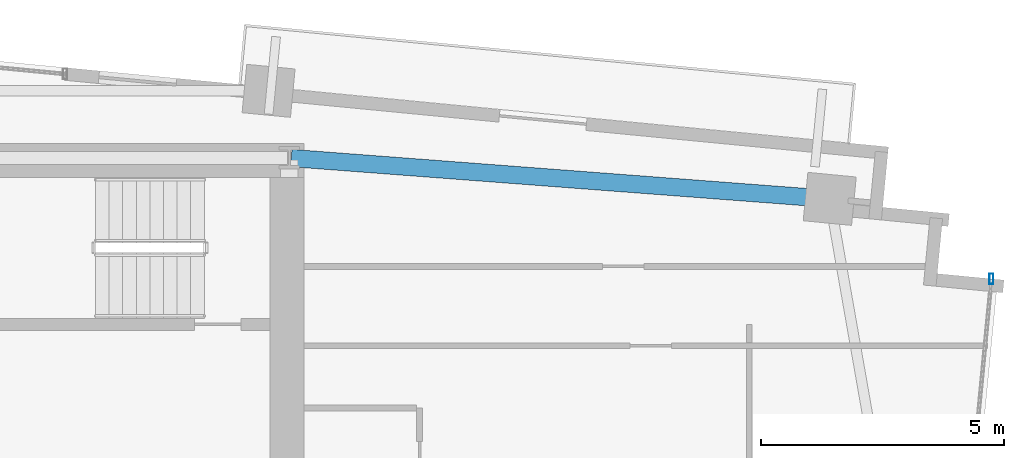
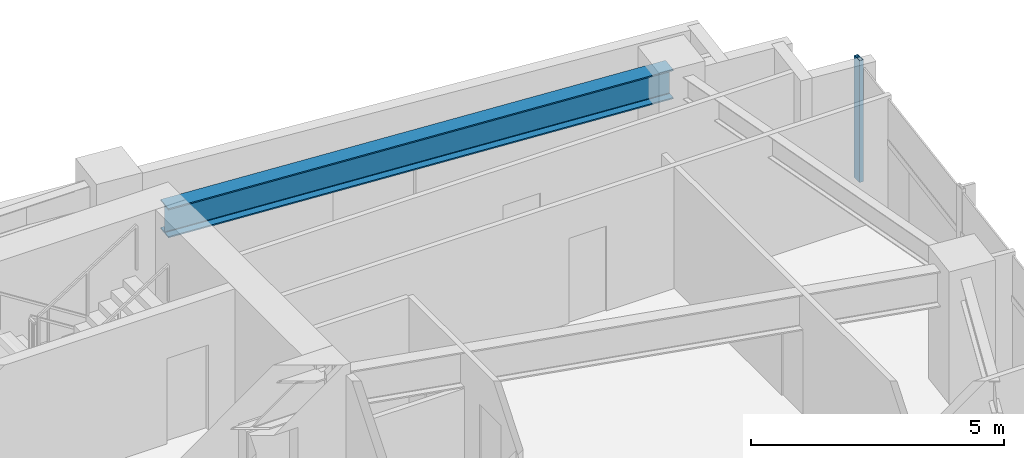
# One storey, part 13 of 20: 1 beam, 1 member, 1 element without a shape of its own.
"""IFC4 building model written with IfcOpenShell, lengths in metres."""

import ifcopenshell
import ifcopenshell.guid

model = None  # the IFC model being written
_history = None  # IfcOwnerHistory: only IFC2X3 demands one
_inside = {}  # id of a spatial element -> (the spatial element, [elements in it])
_under = {}  # id of a project, library or spatial element -> (it, [spatial elements below it])
_declared = {}  # id of a project -> (the project, [libraries it declares])
_typed = {}  # id of a type object -> (the type object, [elements of that type])
_made_of = {}  # id of a material, layer set ... -> (it, [elements and type objects made of it])


def new_model(schema):
    """Start an empty IFC model of exactly this schema.

    Asked for "IFC4X3", IfcOpenShell would pick the latest addendum, in which some entities
    have other attributes; the version numbers below select the first issue.
    IFC2X3 requires an IfcOwnerHistory on every rooted entity: one is made here for all.
    """
    global model, _history
    if schema == "IFC4X3":
        model = ifcopenshell.file(schema_version=(4, 3, 0, 0))
    else:
        model = ifcopenshell.file(schema=schema)
    _inside.clear()
    _under.clear()
    _declared.clear()
    _typed.clear()
    _made_of.clear()
    _history = None
    if model.schema == "IFC2X3":
        org = make("IfcOrganization", Name="unknown")
        user = make(
            "IfcPersonAndOrganization",
            ThePerson=make("IfcPerson", FamilyName="unknown"),
            TheOrganization=org,
        )
        app = make(
            "IfcApplication",
            ApplicationDeveloper=org,
            Version="unknown",
            ApplicationFullName="unknown",
            ApplicationIdentifier="unknown",
        )
        _history = make(
            "IfcOwnerHistory",
            OwningUser=user,
            OwningApplication=app,
            ChangeAction="ADDED",
            CreationDate=0,
        )
    return model


def make(cls, **values):
    """One entity of the class cls with the attributes given. An attribute that is None is left unset."""
    return model.create_entity(
        cls, **{name: value for name, value in values.items() if value is not None}
    )


def rooted(cls, **values):
    """An entity with a GlobalId (a new one), such as an element, a storey or a relation."""
    return make(cls, GlobalId=ifcopenshell.guid.new(), OwnerHistory=_history, **values)


def si_unit(unit_type, name, prefix=None):
    """IfcSIUnit, for example si_unit("LENGTHUNIT", "METRE", prefix="MILLI")."""
    return make("IfcSIUnit", UnitType=unit_type, Prefix=prefix, Name=name)


def assignment(units):
    """IfcUnitAssignment: the units of a project."""
    return None if units is None else make("IfcUnitAssignment", Units=units)


def point(xyz):
    """IfcCartesianPoint."""
    return None if xyz is None else make("IfcCartesianPoint", Coordinates=xyz)


def direction(xyz):
    """IfcDirection."""
    return None if xyz is None else make("IfcDirection", DirectionRatios=xyz)


def frame(location, z_axis=None, x_axis=None):
    """IfcAxis2Placement3D, a coordinate frame: its origin and axes. An axis left out is left unset."""
    return make(
        "IfcAxis2Placement3D",
        Location=point(location),
        Axis=direction(z_axis),
        RefDirection=direction(x_axis),
    )


def frame_2d(location, x_axis=None):
    """IfcAxis2Placement2D, a coordinate frame in the plane: its origin and x axis."""
    return make(
        "IfcAxis2Placement2D", Location=point(location), RefDirection=direction(x_axis)
    )


def origin():
    """The frame at (0, 0, 0) with its axes left unset."""
    return frame((0.0, 0.0, 0.0))


def origin_2d():
    """The frame at (0, 0) in the plane with its x axis left unset."""
    return frame_2d((0.0, 0.0))


def place(relative_to, where):
    """IfcLocalPlacement: puts the frame where relative to a parent placement (None: the world)."""
    return make(
        "IfcLocalPlacement", PlacementRelTo=relative_to, RelativePlacement=where
    )


def context(
    kind, dimensions, precision=None, world=None, true_north=None, identifier=None
):
    """IfcGeometricRepresentationContext, for example the 3D "Model" context."""
    return make(
        "IfcGeometricRepresentationContext",
        ContextIdentifier=identifier,
        ContextType=kind,
        CoordinateSpaceDimension=dimensions,
        Precision=precision,
        WorldCoordinateSystem=world,
        TrueNorth=true_north,
    )


def subcontext(parent, identifier, kind, view, scale=None):
    """IfcGeometricRepresentationSubContext, for example "Body" below "Model"."""
    return make(
        "IfcGeometricRepresentationSubContext",
        ContextIdentifier=identifier,
        ContextType=kind,
        ParentContext=parent,
        TargetScale=scale,
        TargetView=view,
    )


def project(units=None, contexts=None):
    """IfcProject with its units and contexts."""
    return rooted(
        "IfcProject",
        Name="project",
        RepresentationContexts=contexts,
        UnitsInContext=assignment(units),
    )


def spatial(cls, under=None, at=None, **own):
    """A site, building, storey or space (cls), placed at a placement, below another one or the project."""
    s = rooted(cls, ObjectPlacement=at, **own)
    if under is not None:
        _under.setdefault(under.id(), (under, []))[1].append(s)
    return s


def profile(cls, at=None, kind="AREA", **sizes):
    """A parametric profile (cls). Its sizes go by their IFC names, for example OverallWidth=200.0."""
    return make(cls, ProfileType=kind, Position=at, **sizes)


def hollow_rectangle(**sizes):
    """IfcRectangleHollowProfileDef."""
    return profile("IfcRectangleHollowProfileDef", **sizes)


def i_section(**sizes):
    """IfcIShapeProfileDef."""
    return profile("IfcIShapeProfileDef", **sizes)


def extrude(swept, where, along, depth):
    """IfcExtrudedAreaSolid: the profile swept, set in the frame where, extruded along a direction by depth."""
    return make(
        "IfcExtrudedAreaSolid",
        SweptArea=swept,
        Position=where,
        ExtrudedDirection=direction(along),
        Depth=depth,
    )


def shape(context_of_items, identifier, shape_type, items):
    """IfcShapeRepresentation: the items that make up one representation, for example the "Body"."""
    return make(
        "IfcShapeRepresentation",
        ContextOfItems=context_of_items,
        RepresentationIdentifier=identifier,
        RepresentationType=shape_type,
        Items=items,
    )


def source(mapping_origin, context_of_items, identifier, shape_type, items):
    """IfcRepresentationMap: a shape defined once, which mapped items show again and again."""
    return make(
        "IfcRepresentationMap",
        MappingOrigin=mapping_origin,
        MappedRepresentation=shape(context_of_items, identifier, shape_type, items),
    )


def transform(
    local_origin,
    x_axis=None,
    y_axis=None,
    z_axis=None,
    scale=None,
    scale2=None,
    scale3=None,
    uniform=True,
):
    """IfcCartesianTransformationOperator3D, or its non-uniform kind. x_axis, y_axis, z_axis: its Axis1, 2, 3."""
    if uniform:
        return make(
            "IfcCartesianTransformationOperator3D",
            Axis1=direction(x_axis),
            Axis2=direction(y_axis),
            LocalOrigin=point(local_origin),
            Scale=scale,
            Axis3=direction(z_axis),
        )
    return make(
        "IfcCartesianTransformationOperator3DnonUniform",
        Axis1=direction(x_axis),
        Axis2=direction(y_axis),
        LocalOrigin=point(local_origin),
        Scale=scale,
        Axis3=direction(z_axis),
        Scale2=scale2,
        Scale3=scale3,
    )


def mapped(mapping_source, mapping_target):
    """IfcMappedItem: shows the shape of a source again, moved by a transform."""
    return make(
        "IfcMappedItem", MappingSource=mapping_source, MappingTarget=mapping_target
    )


def material(Name=None, Category=None):
    """IfcMaterial."""
    return make("IfcMaterial", Name=Name, Category=Category)


def material_profile(
    of_material, cross_section, Name=None, Category=None, Priority=None
):
    """IfcMaterialProfile: a cross section and its material."""
    return make(
        "IfcMaterialProfile",
        Name=Name,
        Material=of_material,
        Profile=cross_section,
        Priority=Priority,
        Category=Category,
    )


def profile_set(profiles, Name=None, composite=None):
    """IfcMaterialProfileSet."""
    return make(
        "IfcMaterialProfileSet",
        Name=Name,
        MaterialProfiles=profiles,
        CompositeProfile=composite,
    )


def made_of(thing, what):
    """Note that an element or type object is made of a material, layer set ...; save() writes the relation."""
    if what is not None:
        _made_of.setdefault(what.id(), (what, []))[1].append(thing)
    return thing


def type_object(cls, material=None, **own):
    """A type object (cls), such as IfcWallType, which elements share."""
    return made_of(rooted(cls, **own), material)


def type_shapes(of_type, sources):
    """Give a type object the sources (RepresentationMaps) that its elements show as mapped items."""
    of_type.RepresentationMaps = sources


def element(
    cls,
    number,
    at=None,
    inside=None,
    cuts=None,
    type_object=None,
    material=None,
    context=None,
    identifier="Body",
    shape_type=None,
    held_by="IfcProductDefinitionShape",
    body=None,
    shapes=None,
    **own,
):
    """One element of the class cls, such as IfcWall. Its Tag is "e" and its number.

    at: its placement. inside: the storey or other place that contains it. cuts: it is an
    opening in that element (IfcRelVoidsElement). A single representation is given by context,
    identifier, shape_type and body (its items); several are given by shapes. held_by: the class
    of the entity that holds the representations. save() writes the other relations.
    """
    e = rooted(cls, Tag="e%d" % number, ObjectPlacement=at, **own)
    if body is not None:
        shapes = [shape(context, identifier, shape_type, body)]
    if shapes is not None:
        e.Representation = make(held_by, Representations=shapes)
    if inside is not None:
        _inside.setdefault(inside.id(), (inside, []))[1].append(e)
    if cuts is not None:
        rooted(
            "IfcRelVoidsElement", RelatingBuildingElement=cuts, RelatedOpeningElement=e
        )
    if type_object is not None:
        _typed.setdefault(type_object.id(), (type_object, []))[1].append(e)
    return made_of(e, material)


def aggregate(whole, parts):
    """IfcRelAggregates: a whole, such as a stair, and the parts it consists of."""
    return rooted("IfcRelAggregates", RelatingObject=whole, RelatedObjects=parts)


def save(model, path):
    """Write the relations noted so far, then the file.

    IfcRelAggregates (storeys below a building ...), IfcRelContainedInSpatialStructure (elements
    in a storey), IfcRelDefinesByType, IfcRelAssociatesMaterial and IfcRelDeclares: one each for
    every whole, place, type object, material and project.
    """
    for whole, parts in _under.values():
        aggregate(whole, parts)
    for where, things in _inside.values():
        rooted(
            "IfcRelContainedInSpatialStructure",
            RelatedElements=things,
            RelatingStructure=where,
        )
    for kind, things in _typed.values():
        rooted("IfcRelDefinesByType", RelatedObjects=things, RelatingType=kind)
    for what, things in _made_of.values():
        rooted("IfcRelAssociatesMaterial", RelatedObjects=things, RelatingMaterial=what)
    for by, libraries in _declared.values():
        rooted("IfcRelDeclares", RelatingContext=by, RelatedDefinitions=libraries)
    model.write(path)


model = new_model("IFC4")

# Units and contexts
model_context = context("Model", 3, precision=1e-05, world=origin(), true_north=direction((0.0, 1.0)))
body_context = subcontext(model_context, "Body", "Model", "MODEL_VIEW")
ifc_project = project(units=[si_unit("LENGTHUNIT", "METRE"), si_unit("AREAUNIT", "SQUARE_METRE"), si_unit("VOLUMEUNIT", "CUBIC_METRE"), si_unit("PLANEANGLEUNIT", "RADIAN"), si_unit("MASSUNIT", "GRAM", prefix="KILO")], contexts=[model_context])

# Site, building, storey
site_placement = place(None, origin())
site = spatial("IfcSite", under=ifc_project, at=site_placement, CompositionType="ELEMENT")
building_placement = place(site_placement, origin())
building = spatial("IfcBuilding", under=site, at=building_placement, Name="Astriad Promenade Condominiums", CompositionType="ELEMENT")
storey_placement = place(building_placement, frame((0.0, 0.0, 134.199951171875)))
storey = spatial("IfcBuildingStorey", under=building, at=storey_placement, Name="L38", CompositionType="ELEMENT", Elevation=134.199951171875)

# Beam
ifc_material_1 = material(Name="Steel ASTM A992 Grade 50", Category="steel")
ifc_material_profile_1 = material_profile(ifc_material_1, i_section(OverallWidth=0.35791015625, OverallDepth=0.706298828125, WebThickness=0.018310546875, FlangeThickness=0.0302734375, FilletRadius=0.020263671875, at=origin_2d()), Name="W27X178")
ifc_profile_set_1 = profile_set([ifc_material_profile_1], Name="Steel ASTM A992 Grade 50")
beam_type = type_object("IfcBeamType", Name="STEEL FLOOR GIRDER W27X178", PredefinedType="BEAM", material=ifc_profile_set_1)
shared_shape_1 = source(origin(), body_context, "Body", "SweptSolid", [
    extrude(i_section(OverallWidth=0.35791015625, OverallDepth=0.706298828125, WebThickness=0.018310546875, FlangeThickness=0.0302734375, FilletRadius=0.020263671875, at=origin_2d()), origin(), (0.0, 0.0, 1.0), 11.0712890625),
])
type_shapes(beam_type, [shared_shape_1])
beam_placement = place(storey_placement, frame((56.679443359375, 23.15966796875, 2.5869140625), z_axis=(-0.997135384808, 0.075637453445, 0.0), x_axis=(-0.075637453445, -0.997135384808, 0.0)))
element("IfcBeam", 1, at=beam_placement, inside=storey, type_object=beam_type, Name="Primary Floor Girder PG-NE-L38", PredefinedType="BEAM", context=body_context, shape_type="MappedRepresentation", body=[
    mapped(shared_shape_1, transform((0.0, 0.0, 0.0), scale=1.0)),
])

# Curtain wall, member
ifc_material_2 = material(Name="Anodised aluminium Black Dark Glass Unitised", Category="aluminium")
curtain_wall_type = type_object("IfcCurtainWallType", Name="CW-B34-DARK", PredefinedType="USERDEFINED", material=ifc_material_2)
curtain_wall_placement = place(storey_placement, origin())
curtain_wall = element("IfcCurtainWall", 2, at=curtain_wall_placement, inside=storey, type_object=curtain_wall_type, Name="CW-L38-E", ObjectType="UNITISED_CURTAIN_WALL", PredefinedType="USERDEFINED")
ifc_material_3 = material(Name="Anodised aluminium 6063-T6 Black", Category="aluminium")
ifc_material_profile_2 = material_profile(ifc_material_3, hollow_rectangle(XDim=0.0849609375, YDim=0.219970703125, WallThickness=0.0048828125, at=origin_2d()), Name="ALU-MUL-85X220")
ifc_profile_set_2 = profile_set([ifc_material_profile_2], Name="Anodised aluminium 6063-T6 Black")
member_type = type_object("IfcMemberType", Name="MUL-ALU-MUL-85X220", PredefinedType="MULLION", material=ifc_profile_set_2)
shared_shape_2 = source(origin(), body_context, "Body", "SweptSolid", [
    extrude(hollow_rectangle(XDim=0.0849609375, YDim=0.219970703125, WallThickness=0.0048828125, at=origin_2d()), origin(), (0.0, 0.0, 1.0), 2.93994140625),
])
type_shapes(member_type, [shared_shape_2])
member_placement = place(storey_placement, frame((60.046875, 21.51025390625, 0.0), z_axis=(0.0, 0.0, 1.0), x_axis=(1.0, 0.0, 0.0)))
member = element("IfcMember", 3, at=member_placement, type_object=member_type, Name="CW-L38-E-MUL-00", PredefinedType="MULLION", context=body_context, shape_type="MappedRepresentation", body=[
    mapped(shared_shape_2, transform((0.0, 0.0, 0.0), scale=1.0)),
])
aggregate(curtain_wall, [member])

save(model, "model.ifc")
